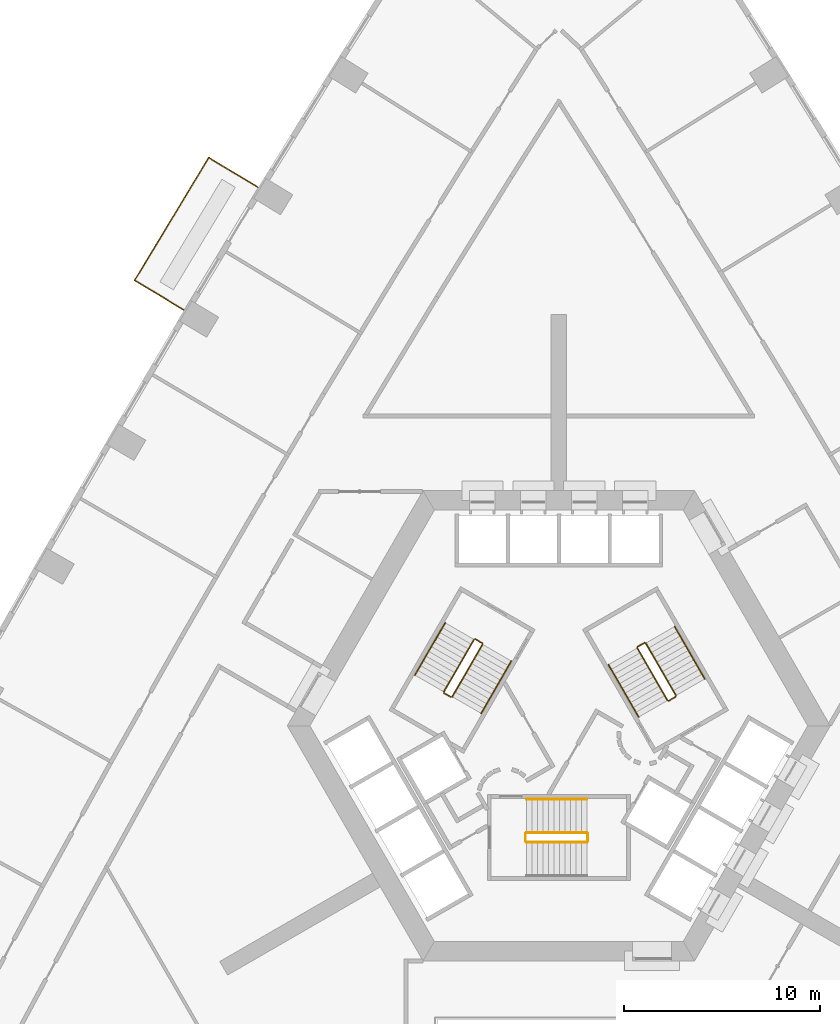
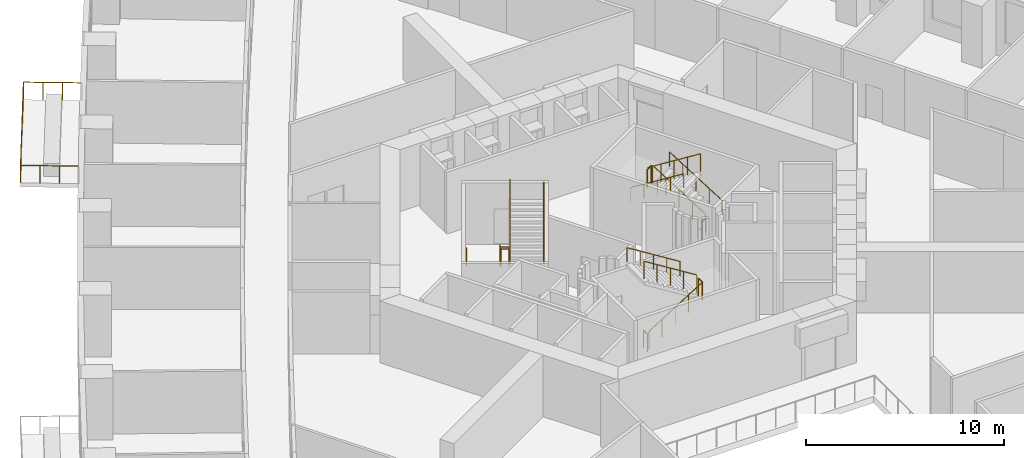
# One storey, part 15 of 16: 18 railings.
"""IFC4 building model written with IfcOpenShell, lengths in metres."""

import ifcopenshell
import ifcopenshell.guid

model = None  # the IFC model being written
_history = None  # IfcOwnerHistory: only IFC2X3 demands one
_inside = {}  # id of a spatial element -> (the spatial element, [elements in it])
_under = {}  # id of a project, library or spatial element -> (it, [spatial elements below it])
_declared = {}  # id of a project -> (the project, [libraries it declares])
_typed = {}  # id of a type object -> (the type object, [elements of that type])
_made_of = {}  # id of a material, layer set ... -> (it, [elements and type objects made of it])


def new_model(schema):
    """Start an empty IFC model of exactly this schema.

    Asked for "IFC4X3", IfcOpenShell would pick the latest addendum, in which some entities
    have other attributes; the version numbers below select the first issue.
    IFC2X3 requires an IfcOwnerHistory on every rooted entity: one is made here for all.
    """
    global model, _history
    if schema == "IFC4X3":
        model = ifcopenshell.file(schema_version=(4, 3, 0, 0))
    else:
        model = ifcopenshell.file(schema=schema)
    _inside.clear()
    _under.clear()
    _declared.clear()
    _typed.clear()
    _made_of.clear()
    _history = None
    if model.schema == "IFC2X3":
        org = make("IfcOrganization", Name="unknown")
        user = make(
            "IfcPersonAndOrganization",
            ThePerson=make("IfcPerson", FamilyName="unknown"),
            TheOrganization=org,
        )
        app = make(
            "IfcApplication",
            ApplicationDeveloper=org,
            Version="unknown",
            ApplicationFullName="unknown",
            ApplicationIdentifier="unknown",
        )
        _history = make(
            "IfcOwnerHistory",
            OwningUser=user,
            OwningApplication=app,
            ChangeAction="ADDED",
            CreationDate=0,
        )
    return model


def make(cls, **values):
    """One entity of the class cls with the attributes given. An attribute that is None is left unset."""
    return model.create_entity(
        cls, **{name: value for name, value in values.items() if value is not None}
    )


def rooted(cls, **values):
    """An entity with a GlobalId (a new one), such as an element, a storey or a relation."""
    return make(cls, GlobalId=ifcopenshell.guid.new(), OwnerHistory=_history, **values)


def si_unit(unit_type, name, prefix=None):
    """IfcSIUnit, for example si_unit("LENGTHUNIT", "METRE", prefix="MILLI")."""
    return make("IfcSIUnit", UnitType=unit_type, Prefix=prefix, Name=name)


def assignment(units):
    """IfcUnitAssignment: the units of a project."""
    return None if units is None else make("IfcUnitAssignment", Units=units)


def point(xyz):
    """IfcCartesianPoint."""
    return None if xyz is None else make("IfcCartesianPoint", Coordinates=xyz)


def direction(xyz):
    """IfcDirection."""
    return None if xyz is None else make("IfcDirection", DirectionRatios=xyz)


def frame(location, z_axis=None, x_axis=None):
    """IfcAxis2Placement3D, a coordinate frame: its origin and axes. An axis left out is left unset."""
    return make(
        "IfcAxis2Placement3D",
        Location=point(location),
        Axis=direction(z_axis),
        RefDirection=direction(x_axis),
    )


def frame_2d(location, x_axis=None):
    """IfcAxis2Placement2D, a coordinate frame in the plane: its origin and x axis."""
    return make(
        "IfcAxis2Placement2D", Location=point(location), RefDirection=direction(x_axis)
    )


def origin():
    """The frame at (0, 0, 0) with its axes left unset."""
    return frame((0.0, 0.0, 0.0))


def origin_2d():
    """The frame at (0, 0) in the plane with its x axis left unset."""
    return frame_2d((0.0, 0.0))


def place(relative_to, where):
    """IfcLocalPlacement: puts the frame where relative to a parent placement (None: the world)."""
    return make(
        "IfcLocalPlacement", PlacementRelTo=relative_to, RelativePlacement=where
    )


def context(
    kind, dimensions, precision=None, world=None, true_north=None, identifier=None
):
    """IfcGeometricRepresentationContext, for example the 3D "Model" context."""
    return make(
        "IfcGeometricRepresentationContext",
        ContextIdentifier=identifier,
        ContextType=kind,
        CoordinateSpaceDimension=dimensions,
        Precision=precision,
        WorldCoordinateSystem=world,
        TrueNorth=true_north,
    )


def subcontext(parent, identifier, kind, view, scale=None):
    """IfcGeometricRepresentationSubContext, for example "Body" below "Model"."""
    return make(
        "IfcGeometricRepresentationSubContext",
        ContextIdentifier=identifier,
        ContextType=kind,
        ParentContext=parent,
        TargetScale=scale,
        TargetView=view,
    )


def project(units=None, contexts=None):
    """IfcProject with its units and contexts."""
    return rooted(
        "IfcProject",
        Name="project",
        RepresentationContexts=contexts,
        UnitsInContext=assignment(units),
    )


def spatial(cls, under=None, at=None, **own):
    """A site, building, storey or space (cls), placed at a placement, below another one or the project."""
    s = rooted(cls, ObjectPlacement=at, **own)
    if under is not None:
        _under.setdefault(under.id(), (under, []))[1].append(s)
    return s


def profile(cls, at=None, kind="AREA", **sizes):
    """A parametric profile (cls). Its sizes go by their IFC names, for example OverallWidth=200.0."""
    return make(cls, ProfileType=kind, Position=at, **sizes)


def circle(**sizes):
    """IfcCircleProfileDef."""
    return profile("IfcCircleProfileDef", **sizes)


def extrude(swept, where, along, depth):
    """IfcExtrudedAreaSolid: the profile swept, set in the frame where, extruded along a direction by depth."""
    return make(
        "IfcExtrudedAreaSolid",
        SweptArea=swept,
        Position=where,
        ExtrudedDirection=direction(along),
        Depth=depth,
    )


def shape(context_of_items, identifier, shape_type, items):
    """IfcShapeRepresentation: the items that make up one representation, for example the "Body"."""
    return make(
        "IfcShapeRepresentation",
        ContextOfItems=context_of_items,
        RepresentationIdentifier=identifier,
        RepresentationType=shape_type,
        Items=items,
    )


def material(Name=None, Category=None):
    """IfcMaterial."""
    return make("IfcMaterial", Name=Name, Category=Category)


def made_of(thing, what):
    """Note that an element or type object is made of a material, layer set ...; save() writes the relation."""
    if what is not None:
        _made_of.setdefault(what.id(), (what, []))[1].append(thing)
    return thing


def type_object(cls, material=None, **own):
    """A type object (cls), such as IfcWallType, which elements share."""
    return made_of(rooted(cls, **own), material)


def element(
    cls,
    number,
    at=None,
    inside=None,
    cuts=None,
    type_object=None,
    material=None,
    context=None,
    identifier="Body",
    shape_type=None,
    held_by="IfcProductDefinitionShape",
    body=None,
    shapes=None,
    **own,
):
    """One element of the class cls, such as IfcWall. Its Tag is "e" and its number.

    at: its placement. inside: the storey or other place that contains it. cuts: it is an
    opening in that element (IfcRelVoidsElement). A single representation is given by context,
    identifier, shape_type and body (its items); several are given by shapes. held_by: the class
    of the entity that holds the representations. save() writes the other relations.
    """
    e = rooted(cls, Tag="e%d" % number, ObjectPlacement=at, **own)
    if body is not None:
        shapes = [shape(context, identifier, shape_type, body)]
    if shapes is not None:
        e.Representation = make(held_by, Representations=shapes)
    if inside is not None:
        _inside.setdefault(inside.id(), (inside, []))[1].append(e)
    if cuts is not None:
        rooted(
            "IfcRelVoidsElement", RelatingBuildingElement=cuts, RelatedOpeningElement=e
        )
    if type_object is not None:
        _typed.setdefault(type_object.id(), (type_object, []))[1].append(e)
    return made_of(e, material)


def aggregate(whole, parts):
    """IfcRelAggregates: a whole, such as a stair, and the parts it consists of."""
    return rooted("IfcRelAggregates", RelatingObject=whole, RelatedObjects=parts)


def save(model, path):
    """Write the relations noted so far, then the file.

    IfcRelAggregates (storeys below a building ...), IfcRelContainedInSpatialStructure (elements
    in a storey), IfcRelDefinesByType, IfcRelAssociatesMaterial and IfcRelDeclares: one each for
    every whole, place, type object, material and project.
    """
    for whole, parts in _under.values():
        aggregate(whole, parts)
    for where, things in _inside.values():
        rooted(
            "IfcRelContainedInSpatialStructure",
            RelatedElements=things,
            RelatingStructure=where,
        )
    for kind, things in _typed.values():
        rooted("IfcRelDefinesByType", RelatedObjects=things, RelatingType=kind)
    for what, things in _made_of.values():
        rooted("IfcRelAssociatesMaterial", RelatedObjects=things, RelatingMaterial=what)
    for by, libraries in _declared.values():
        rooted("IfcRelDeclares", RelatingContext=by, RelatedDefinitions=libraries)
    model.write(path)


model = new_model("IFC4")

# Units and contexts
model_context = context("Model", 3, precision=1e-05, world=origin(), true_north=direction((0.0, 1.0)))
body_context = subcontext(model_context, "Body", "Model", "MODEL_VIEW")
ifc_project = project(units=[si_unit("LENGTHUNIT", "METRE"), si_unit("AREAUNIT", "SQUARE_METRE"), si_unit("VOLUMEUNIT", "CUBIC_METRE"), si_unit("PLANEANGLEUNIT", "RADIAN"), si_unit("MASSUNIT", "GRAM", prefix="KILO")], contexts=[model_context])

# Site, building, storey
site_placement = place(None, origin())
site = spatial("IfcSite", under=ifc_project, at=site_placement, CompositionType="ELEMENT")
building_placement = place(site_placement, origin())
building = spatial("IfcBuilding", under=site, at=building_placement, Name="Entoto Arch Interchange Tower", CompositionType="ELEMENT")
storey_placement = place(building_placement, frame((0.0, 0.0, 43.39990234375)))
storey = spatial("IfcBuildingStorey", under=building, at=storey_placement, Name="L08", CompositionType="ELEMENT", Elevation=43.39990234375)

# Railings
ifc_material = material(Name="Stainless steel 1.4301", Category="steel")
railing_type_1 = type_object("IfcRailingType", Name="GUARD 1100 STEEL AND GLASS", PredefinedType="GUARDRAIL", material=ifc_material)
railing_1_placement = place(storey_placement, frame((-15.339111328125, 29.972900390625, 0.0)))
element("IfcRailing", 1, at=railing_1_placement, inside=storey, type_object=railing_type_1, Name="Balcony guard NW-03 L08", PredefinedType="GUARDRAIL", context=body_context, shape_type="SweptSolid", body=[
    extrude(circle(Radius=0.02392578125, at=origin_2d()), frame((0.0, 0.0, 1.076171875), z_axis=(-0.85581632961, 0.517279817868, 0.0), x_axis=(-0.517279817868, -0.85581632961, 0.0)), (0.0, 0.0, 1.0), 2.9501953125),
    extrude(circle(Radius=0.02392578125, at=origin_2d()), frame((-2.52490234375, 1.526123046875, 1.076171875), z_axis=(-0.517241442026, -0.855839523889, 0.0), x_axis=(0.855839523889, -0.517241442026, 0.0)), (0.0, 0.0, 1.0), 7.315673828125),
    extrude(circle(Radius=0.02392578125, at=origin_2d()), frame((-6.308837890625, -4.73486328125, 1.076171875), z_axis=(0.85581632961, -0.517279817868, 0.0), x_axis=(0.517279817868, 0.85581632961, 0.0)), (0.0, 0.0, 1.0), 2.9501953125),
    extrude(circle(Radius=0.02099609375, at=origin_2d()), origin(), (0.0, 0.0, 1.0), 1.052001953125),
    extrude(circle(Radius=0.02099609375, at=origin_2d()), frame((-0.841552734375, 0.5087890625, 0.0)), (0.0, 0.0, 1.0), 1.052001953125),
    extrude(circle(Radius=0.02099609375, at=origin_2d()), frame((-1.683349609375, 1.017333984375, 0.0)), (0.0, 0.0, 1.0), 1.052001953125),
    extrude(circle(Radius=0.02099609375, at=origin_2d()), frame((-2.52490234375, 1.526123046875, 0.0)), (0.0, 0.0, 1.0), 1.052001953125),
    extrude(circle(Radius=0.02099609375, at=origin_2d()), frame((-3.0654296875, 0.631591796875, 0.0)), (0.0, 0.0, 1.0), 1.052001953125),
    extrude(circle(Radius=0.02099609375, at=origin_2d()), frame((-3.60595703125, -0.2626953125, 0.0)), (0.0, 0.0, 1.0), 1.052001953125),
    extrude(circle(Radius=0.02099609375, at=origin_2d()), frame((-4.146484375, -1.1572265625, 0.0)), (0.0, 0.0, 1.0), 1.052001953125),
    extrude(circle(Radius=0.02099609375, at=origin_2d()), frame((-4.687255859375, -2.051513671875, 0.0)), (0.0, 0.0, 1.0), 1.052001953125),
    extrude(circle(Radius=0.02099609375, at=origin_2d()), frame((-5.227783203125, -2.946044921875, 0.0)), (0.0, 0.0, 1.0), 1.052001953125),
    extrude(circle(Radius=0.02099609375, at=origin_2d()), frame((-5.768310546875, -3.84033203125, 0.0)), (0.0, 0.0, 1.0), 1.052001953125),
    extrude(circle(Radius=0.02099609375, at=origin_2d()), frame((-6.308837890625, -4.73486328125, 0.0)), (0.0, 0.0, 1.0), 1.052001953125),
    extrude(circle(Radius=0.02099609375, at=origin_2d()), frame((-5.46728515625, -5.24365234375, 0.0)), (0.0, 0.0, 1.0), 1.052001953125),
    extrude(circle(Radius=0.02099609375, at=origin_2d()), frame((-4.62548828125, -5.752197265625, 0.0)), (0.0, 0.0, 1.0), 1.052001953125),
    extrude(circle(Radius=0.02099609375, at=origin_2d()), frame((-3.783935546875, -6.260986328125, 0.0)), (0.0, 0.0, 1.0), 1.052001953125),
])
railing_type_2 = type_object("IfcRailingType", Name="STAIR GUARD 1100 STEEL", PredefinedType="GUARDRAIL", material=ifc_material)
railing_2_placement = place(storey_placement, frame((-1.64990234375, -3.449951171875, 0.175048828125)))
element("IfcRailing", 2, at=railing_2_placement, inside=storey, type_object=railing_type_2, Name="L08 ST-S stair guard 1", PredefinedType="GUARDRAIL", context=body_context, shape_type="SweptSolid", body=[
    extrude(circle(Radius=0.02392578125, at=origin_2d()), frame((0.0, 0.0, 1.076171875), z_axis=(0.847979421464, 0.0, 0.530029150871), x_axis=(0.0, 1.0, 0.0)), (0.0, 0.0, 1.0), 3.632080078125),
    extrude(circle(Radius=0.02099609375, at=origin_2d()), origin(), (0.0, 0.0, 1.0), 1.052001953125),
    extrude(circle(Radius=0.02099609375, at=origin_2d()), frame((0.77001953125, 0.0, 0.481201171875)), (0.0, 0.0, 1.0), 1.052001953125),
    extrude(circle(Radius=0.02099609375, at=origin_2d()), frame((1.5400390625, 0.0, 0.96240234375)), (0.0, 0.0, 1.0), 1.052001953125),
    extrude(circle(Radius=0.02099609375, at=origin_2d()), frame((2.309814453125, 0.0, 1.44384765625)), (0.0, 0.0, 1.0), 1.052001953125),
    extrude(circle(Radius=0.02099609375, at=origin_2d()), frame((3.079833984375, 0.0, 1.925048828125)), (0.0, 0.0, 1.0), 1.052001953125),
])
railing_3_placement = place(storey_placement, frame((1.47998046875, -3.39990234375, 2.10009765625)))
element("IfcRailing", 3, at=railing_3_placement, inside=storey, type_object=railing_type_2, Name="L08 ST-S stair guard 2", PredefinedType="GUARDRAIL", context=body_context, shape_type="SweptSolid", body=[
    extrude(circle(Radius=0.02392578125, at=origin_2d()), frame((0.0, 0.0, 1.076171875), z_axis=(0.0, 1.0, 0.0), x_axis=(-1.0, 0.0, 0.0)), (0.0, 0.0, 1.0), 0.39990234375),
    extrude(circle(Radius=0.02099609375, at=origin_2d()), origin(), (0.0, 0.0, 1.0), 1.052001953125),
    extrude(circle(Radius=0.02099609375, at=origin_2d()), frame((0.0, 0.39990234375, 0.0)), (0.0, 0.0, 1.0), 1.052001953125),
])
railing_4_placement = place(storey_placement, frame((1.429931640625, -2.949951171875, 2.275146484375)))
element("IfcRailing", 4, at=railing_4_placement, inside=storey, type_object=railing_type_2, Name="L08 ST-S stair guard 3", PredefinedType="GUARDRAIL", context=body_context, shape_type="SweptSolid", body=[
    extrude(circle(Radius=0.02392578125, at=origin_2d()), frame((0.0, 0.0, 1.076171875), z_axis=(-0.847979421464, 0.0, 0.530029150871), x_axis=(0.0, -1.0, 0.0)), (0.0, 0.0, 1.0), 3.632080078125),
    extrude(circle(Radius=0.02099609375, at=origin_2d()), origin(), (0.0, 0.0, 1.0), 1.052001953125),
    extrude(circle(Radius=0.02099609375, at=origin_2d()), frame((-0.77001953125, 0.0, 0.481201171875)), (0.0, 0.0, 1.0), 1.052001953125),
    extrude(circle(Radius=0.02099609375, at=origin_2d()), frame((-1.5400390625, 0.0, 0.96240234375)), (0.0, 0.0, 1.0), 1.052001953125),
    extrude(circle(Radius=0.02099609375, at=origin_2d()), frame((-2.309814453125, 0.0, 1.44384765625)), (0.0, 0.0, 1.0), 1.052001953125),
    extrude(circle(Radius=0.02099609375, at=origin_2d()), frame((-3.079833984375, 0.0, 1.925048828125)), (0.0, 0.0, 1.0), 1.052001953125),
])
railing_5_placement = place(storey_placement, frame((-1.699951171875, -3.39990234375, 0.0)))
element("IfcRailing", 5, at=railing_5_placement, inside=storey, type_object=railing_type_2, Name="L08 ST-S stair guard 4", PredefinedType="GUARDRAIL", context=body_context, shape_type="SweptSolid", body=[
    extrude(circle(Radius=0.02392578125, at=origin_2d()), frame((0.0, 0.0, 1.076171875), z_axis=(0.0, 1.0, 0.0), x_axis=(-1.0, 0.0, 0.0)), (0.0, 0.0, 1.0), 0.39990234375),
    extrude(circle(Radius=0.02099609375, at=origin_2d()), origin(), (0.0, 0.0, 1.0), 1.052001953125),
    extrude(circle(Radius=0.02099609375, at=origin_2d()), frame((0.0, 0.39990234375, 0.0)), (0.0, 0.0, 1.0), 1.052001953125),
])
railing_6_placement = place(storey_placement, frame((5.977783203125, 4.046142578125, 0.175048828125)))
element("IfcRailing", 6, at=railing_6_placement, inside=storey, type_object=railing_type_2, Name="L08 ST-NE stair guard 1", PredefinedType="GUARDRAIL", context=body_context, shape_type="SweptSolid", body=[
    extrude(circle(Radius=0.02392578125, at=origin_2d()), frame((0.0, 0.0, 1.076171875), z_axis=(-0.424015404183, 0.734364028329, 0.530019255228), x_axis=(-0.866010015463, -0.500026652407, 0.0)), (0.0, 0.0, 1.0), 3.632080078125),
    extrude(circle(Radius=0.02099609375, at=origin_2d()), origin(), (0.0, 0.0, 1.0), 1.052001953125),
    extrude(circle(Radius=0.02099609375, at=origin_2d()), frame((-0.385009765625, 0.666748046875, 0.481201171875)), (0.0, 0.0, 1.0), 1.052001953125),
    extrude(circle(Radius=0.02099609375, at=origin_2d()), frame((-0.77001953125, 1.33349609375, 0.96240234375)), (0.0, 0.0, 1.0), 1.052001953125),
    extrude(circle(Radius=0.02099609375, at=origin_2d()), frame((-1.155029296875, 2.00048828125, 1.44384765625)), (0.0, 0.0, 1.0), 1.052001953125),
    extrude(circle(Radius=0.02099609375, at=origin_2d()), frame((-1.5400390625, 2.667236328125, 1.925048828125)), (0.0, 0.0, 1.0), 1.052001953125),
])
railing_7_placement = place(storey_placement, frame((4.36962890625, 6.731689453125, 2.10009765625)))
element("IfcRailing", 7, at=railing_7_placement, inside=storey, type_object=railing_type_2, Name="L08 ST-NE stair guard 2", PredefinedType="GUARDRAIL", context=body_context, shape_type="SweptSolid", body=[
    extrude(circle(Radius=0.02392578125, at=origin_2d()), frame((0.0, 0.0, 1.076171875), z_axis=(-0.866094119867, -0.499880961361, 0.0), x_axis=(0.499880961361, -0.866094119867, 0.0)), (0.0, 0.0, 1.0), 0.39990234375),
    extrude(circle(Radius=0.02099609375, at=origin_2d()), origin(), (0.0, 0.0, 1.0), 1.052001953125),
    extrude(circle(Radius=0.02099609375, at=origin_2d()), frame((-0.346435546875, -0.199951171875, 0.0)), (0.0, 0.0, 1.0), 1.052001953125),
])
railing_8_placement = place(storey_placement, frame((4.0048828125, 6.46337890625, 2.275146484375)))
element("IfcRailing", 8, at=railing_8_placement, inside=storey, type_object=railing_type_2, Name="L08 ST-NE stair guard 3", PredefinedType="GUARDRAIL", context=body_context, shape_type="SweptSolid", body=[
    extrude(circle(Radius=0.02392578125, at=origin_2d()), frame((0.0, 0.0, 1.076171875), z_axis=(0.424015404183, -0.734364028329, 0.530019255228), x_axis=(0.866010015463, 0.500026652407, 0.0)), (0.0, 0.0, 1.0), 3.632080078125),
    extrude(circle(Radius=0.02099609375, at=origin_2d()), origin(), (0.0, 0.0, 1.0), 1.052001953125),
    extrude(circle(Radius=0.02099609375, at=origin_2d()), frame((0.385009765625, -0.666748046875, 0.481201171875)), (0.0, 0.0, 1.0), 1.052001953125),
    extrude(circle(Radius=0.02099609375, at=origin_2d()), frame((0.77001953125, -1.33349609375, 0.96240234375)), (0.0, 0.0, 1.0), 1.052001953125),
    extrude(circle(Radius=0.02099609375, at=origin_2d()), frame((1.155029296875, -2.00048828125, 1.44384765625)), (0.0, 0.0, 1.0), 1.052001953125),
    extrude(circle(Radius=0.02099609375, at=origin_2d()), frame((1.5400390625, -2.667236328125, 1.925048828125)), (0.0, 0.0, 1.0), 1.052001953125),
])
railing_9_placement = place(storey_placement, frame((5.95947265625, 3.977783203125, 0.0)))
element("IfcRailing", 9, at=railing_9_placement, inside=storey, type_object=railing_type_2, Name="L08 ST-NE stair guard 4", PredefinedType="GUARDRAIL", context=body_context, shape_type="SweptSolid", body=[
    extrude(circle(Radius=0.02392578125, at=origin_2d()), frame((0.0, 0.0, 1.076171875), z_axis=(-0.866094119867, -0.499880961361, 0.0), x_axis=(0.499880961361, -0.866094119867, 0.0)), (0.0, 0.0, 1.0), 0.39990234375),
    extrude(circle(Radius=0.02099609375, at=origin_2d()), origin(), (0.0, 0.0, 1.0), 1.052001953125),
    extrude(circle(Radius=0.02099609375, at=origin_2d()), frame((-0.346435546875, -0.199951171875, 0.0)), (0.0, 0.0, 1.0), 1.052001953125),
])
railing_10_placement = place(storey_placement, frame((-4.327880859375, 6.904052734375, 0.175048828125)))
element("IfcRailing", 10, at=railing_10_placement, inside=storey, type_object=railing_type_2, Name="L08 ST-NW stair guard 1", PredefinedType="GUARDRAIL", context=body_context, shape_type="SweptSolid", body=[
    extrude(circle(Radius=0.02392578125, at=origin_2d()), frame((0.0, 0.0, 1.076171875), z_axis=(-0.423994474112, -0.734394994316, 0.52999309264), x_axis=(0.866029832698, -0.499992328818, 0.0)), (0.0, 0.0, 1.0), 3.63232421875),
    extrude(circle(Radius=0.02099609375, at=origin_2d()), origin(), (0.0, 0.0, 1.0), 1.052001953125),
    extrude(circle(Radius=0.02099609375, at=origin_2d()), frame((-0.385009765625, -0.6669921875, 0.481201171875)), (0.0, 0.0, 1.0), 1.052001953125),
    extrude(circle(Radius=0.02099609375, at=origin_2d()), frame((-0.77001953125, -1.333740234375, 0.96240234375)), (0.0, 0.0, 1.0), 1.052001953125),
    extrude(circle(Radius=0.02099609375, at=origin_2d()), frame((-1.155029296875, -2.00048828125, 1.44384765625)), (0.0, 0.0, 1.0), 1.052001953125),
    extrude(circle(Radius=0.02099609375, at=origin_2d()), frame((-1.5400390625, -2.66748046875, 1.925048828125)), (0.0, 0.0, 1.0), 1.052001953125),
])
railing_11_placement = place(storey_placement, frame((-5.849609375, 4.168212890625, 2.10009765625)))
element("IfcRailing", 11, at=railing_11_placement, inside=storey, type_object=railing_type_2, Name="L08 ST-NW stair guard 2", PredefinedType="GUARDRAIL", context=body_context, shape_type="SweptSolid", body=[
    extrude(circle(Radius=0.02392578125, at=origin_2d()), frame((0.0, 0.0, 1.076171875), z_axis=(0.866094119867, -0.499880961361, 0.0), x_axis=(0.499880961361, 0.866094119867, 0.0)), (0.0, 0.0, 1.0), 0.39990234375),
    extrude(circle(Radius=0.02099609375, at=origin_2d()), origin(), (0.0, 0.0, 1.0), 1.052001953125),
    extrude(circle(Radius=0.02099609375, at=origin_2d()), frame((0.346435546875, -0.199951171875, 0.0)), (0.0, 0.0, 1.0), 1.052001953125),
])
railing_12_placement = place(storey_placement, frame((-5.434814453125, 3.986572265625, 2.275146484375)))
element("IfcRailing", 12, at=railing_12_placement, inside=storey, type_object=railing_type_2, Name="L08 ST-NW stair guard 3", PredefinedType="GUARDRAIL", context=body_context, shape_type="SweptSolid", body=[
    extrude(circle(Radius=0.02392578125, at=origin_2d()), frame((0.0, 0.0, 1.076171875), z_axis=(0.423994474112, 0.734394994316, 0.52999309264), x_axis=(-0.866029832698, 0.499992328818, 0.0)), (0.0, 0.0, 1.0), 3.63232421875),
    extrude(circle(Radius=0.02099609375, at=origin_2d()), origin(), (0.0, 0.0, 1.0), 1.052001953125),
    extrude(circle(Radius=0.02099609375, at=origin_2d()), frame((0.385009765625, 0.6669921875, 0.481201171875)), (0.0, 0.0, 1.0), 1.052001953125),
    extrude(circle(Radius=0.02099609375, at=origin_2d()), frame((0.77001953125, 1.333740234375, 0.96240234375)), (0.0, 0.0, 1.0), 1.052001953125),
    extrude(circle(Radius=0.02099609375, at=origin_2d()), frame((1.155029296875, 2.00048828125, 1.44384765625)), (0.0, 0.0, 1.0), 1.052001953125),
    extrude(circle(Radius=0.02099609375, at=origin_2d()), frame((1.5400390625, 2.66748046875, 1.925048828125)), (0.0, 0.0, 1.0), 1.052001953125),
])
railing_13_placement = place(storey_placement, frame((-4.259521484375, 6.92236328125, 0.0)))
element("IfcRailing", 13, at=railing_13_placement, inside=storey, type_object=railing_type_2, Name="L08 ST-NW stair guard 4", PredefinedType="GUARDRAIL", context=body_context, shape_type="SweptSolid", body=[
    extrude(circle(Radius=0.02392578125, at=origin_2d()), frame((0.0, 0.0, 1.076171875), z_axis=(0.865829829939, -0.500338590944, 0.0), x_axis=(0.500338590944, 0.865829829939, 0.0)), (0.0, 0.0, 1.0), 0.400146484375),
    extrude(circle(Radius=0.02099609375, at=origin_2d()), origin(), (0.0, 0.0, 1.0), 1.052001953125),
    extrude(circle(Radius=0.02099609375, at=origin_2d()), frame((0.346435546875, -0.2001953125, 0.0)), (0.0, 0.0, 1.0), 1.052001953125),
])
railing_type_3 = type_object("IfcRailingType", Name="STAIR HANDRAIL 900 STEEL", PredefinedType="HANDRAIL", material=ifc_material)
railing_14_placement = place(storey_placement, frame((1.429931640625, -1.25, 2.275146484375)))
element("IfcRailing", 14, at=railing_14_placement, inside=storey, type_object=railing_type_3, Name="L08 ST-S stair handrail 2", PredefinedType="HANDRAIL", context=body_context, shape_type="SweptSolid", body=[
    extrude(circle(Radius=0.02392578125, at=origin_2d()), frame((0.0, 0.0, 0.8759765625), z_axis=(-0.847979421464, 0.0, 0.530029150871), x_axis=(0.0, -1.0, 0.0)), (0.0, 0.0, 1.0), 3.632080078125),
    extrude(circle(Radius=0.02099609375, at=origin_2d()), origin(), (0.0, 0.0, 1.0), 0.851806640625),
    extrude(circle(Radius=0.02099609375, at=origin_2d()), frame((-0.77001953125, 0.0, 0.481201171875)), (0.0, 0.0, 1.0), 0.851806640625),
    extrude(circle(Radius=0.02099609375, at=origin_2d()), frame((-1.5400390625, 0.0, 0.96240234375)), (0.0, 0.0, 1.0), 0.851806640625),
    extrude(circle(Radius=0.02099609375, at=origin_2d()), frame((-2.309814453125, 0.0, 1.44384765625)), (0.0, 0.0, 1.0), 0.851806640625),
    extrude(circle(Radius=0.02099609375, at=origin_2d()), frame((-3.079833984375, 0.0, 1.925048828125)), (0.0, 0.0, 1.0), 0.851806640625),
])
railing_15_placement = place(storey_placement, frame((7.4501953125, 4.89599609375, 0.175048828125)))
element("IfcRailing", 15, at=railing_15_placement, inside=storey, type_object=railing_type_3, Name="L08 ST-NE stair handrail 1", PredefinedType="HANDRAIL", context=body_context, shape_type="SweptSolid", body=[
    extrude(circle(Radius=0.02392578125, at=origin_2d()), frame((0.0, 0.0, 0.8759765625), z_axis=(-0.423994474112, 0.734394994316, 0.52999309264), x_axis=(-0.866029832698, -0.499992328818, 0.0)), (0.0, 0.0, 1.0), 3.63232421875),
    extrude(circle(Radius=0.02099609375, at=origin_2d()), origin(), (0.0, 0.0, 1.0), 0.851806640625),
    extrude(circle(Radius=0.02099609375, at=origin_2d()), frame((-0.385009765625, 0.6669921875, 0.481201171875)), (0.0, 0.0, 1.0), 0.851806640625),
    extrude(circle(Radius=0.02099609375, at=origin_2d()), frame((-0.77001953125, 1.333740234375, 0.96240234375)), (0.0, 0.0, 1.0), 0.851806640625),
    extrude(circle(Radius=0.02099609375, at=origin_2d()), frame((-1.155029296875, 2.00048828125, 1.44384765625)), (0.0, 0.0, 1.0), 0.851806640625),
    extrude(circle(Radius=0.02099609375, at=origin_2d()), frame((-1.5400390625, 2.66748046875, 1.925048828125)), (0.0, 0.0, 1.0), 0.851806640625),
])
railing_16_placement = place(storey_placement, frame((2.53271484375, 5.613525390625, 2.275146484375)))
element("IfcRailing", 16, at=railing_16_placement, inside=storey, type_object=railing_type_3, Name="L08 ST-NE stair handrail 2", PredefinedType="HANDRAIL", context=body_context, shape_type="SweptSolid", body=[
    extrude(circle(Radius=0.02392578125, at=origin_2d()), frame((0.0, 0.0, 0.8759765625), z_axis=(0.423939339791, -0.734415923031, 0.53000819633), x_axis=(0.866064153644, 0.499932877268, 0.0)), (0.0, 0.0, 1.0), 3.632080078125),
    extrude(circle(Radius=0.02099609375, at=origin_2d()), origin(), (0.0, 0.0, 1.0), 0.851806640625),
    extrude(circle(Radius=0.02099609375, at=origin_2d()), frame((0.385009765625, -0.6669921875, 0.481201171875)), (0.0, 0.0, 1.0), 0.851806640625),
    extrude(circle(Radius=0.02099609375, at=origin_2d()), frame((0.77001953125, -1.333740234375, 0.96240234375)), (0.0, 0.0, 1.0), 0.851806640625),
    extrude(circle(Radius=0.02099609375, at=origin_2d()), frame((1.15478515625, -2.00048828125, 1.44384765625)), (0.0, 0.0, 1.0), 0.851806640625),
    extrude(circle(Radius=0.02099609375, at=origin_2d()), frame((1.539794921875, -2.66748046875, 1.925048828125)), (0.0, 0.0, 1.0), 0.851806640625),
])
railing_17_placement = place(storey_placement, frame((-5.800048828125, 7.75390625, 0.175048828125)))
element("IfcRailing", 17, at=railing_17_placement, inside=storey, type_object=railing_type_3, Name="L08 ST-NW stair handrail 1", PredefinedType="HANDRAIL", context=body_context, shape_type="SweptSolid", body=[
    extrude(circle(Radius=0.02392578125, at=origin_2d()), frame((0.0, 0.0, 0.8759765625), z_axis=(-0.424015404183, -0.734364028329, 0.530019255228), x_axis=(0.866010015463, -0.500026652407, 0.0)), (0.0, 0.0, 1.0), 3.632080078125),
    extrude(circle(Radius=0.02099609375, at=origin_2d()), origin(), (0.0, 0.0, 1.0), 0.851806640625),
    extrude(circle(Radius=0.02099609375, at=origin_2d()), frame((-0.385009765625, -0.666748046875, 0.481201171875)), (0.0, 0.0, 1.0), 0.851806640625),
    extrude(circle(Radius=0.02099609375, at=origin_2d()), frame((-0.77001953125, -1.33349609375, 0.96240234375)), (0.0, 0.0, 1.0), 0.851806640625),
    extrude(circle(Radius=0.02099609375, at=origin_2d()), frame((-1.155029296875, -2.00048828125, 1.44384765625)), (0.0, 0.0, 1.0), 0.851806640625),
    extrude(circle(Radius=0.02099609375, at=origin_2d()), frame((-1.5400390625, -2.667236328125, 1.925048828125)), (0.0, 0.0, 1.0), 0.851806640625),
])
railing_18_placement = place(storey_placement, frame((-3.962646484375, 3.136474609375, 2.275146484375)))
element("IfcRailing", 18, at=railing_18_placement, inside=storey, type_object=railing_type_3, Name="L08 ST-NW stair handrail 2", PredefinedType="HANDRAIL", context=body_context, shape_type="SweptSolid", body=[
    extrude(circle(Radius=0.02392578125, at=origin_2d()), frame((0.0, 0.0, 0.8759765625), z_axis=(0.423994474112, 0.734394994316, 0.52999309264), x_axis=(-0.866029832698, 0.499992328818, 0.0)), (0.0, 0.0, 1.0), 3.63232421875),
    extrude(circle(Radius=0.02099609375, at=origin_2d()), origin(), (0.0, 0.0, 1.0), 0.851806640625),
    extrude(circle(Radius=0.02099609375, at=origin_2d()), frame((0.385009765625, 0.6669921875, 0.481201171875)), (0.0, 0.0, 1.0), 0.851806640625),
    extrude(circle(Radius=0.02099609375, at=origin_2d()), frame((0.77001953125, 1.333740234375, 0.96240234375)), (0.0, 0.0, 1.0), 0.851806640625),
    extrude(circle(Radius=0.02099609375, at=origin_2d()), frame((1.155029296875, 2.00048828125, 1.44384765625)), (0.0, 0.0, 1.0), 0.851806640625),
    extrude(circle(Radius=0.02099609375, at=origin_2d()), frame((1.5400390625, 2.66748046875, 1.925048828125)), (0.0, 0.0, 1.0), 0.851806640625),
])

save(model, "model.ifc")
